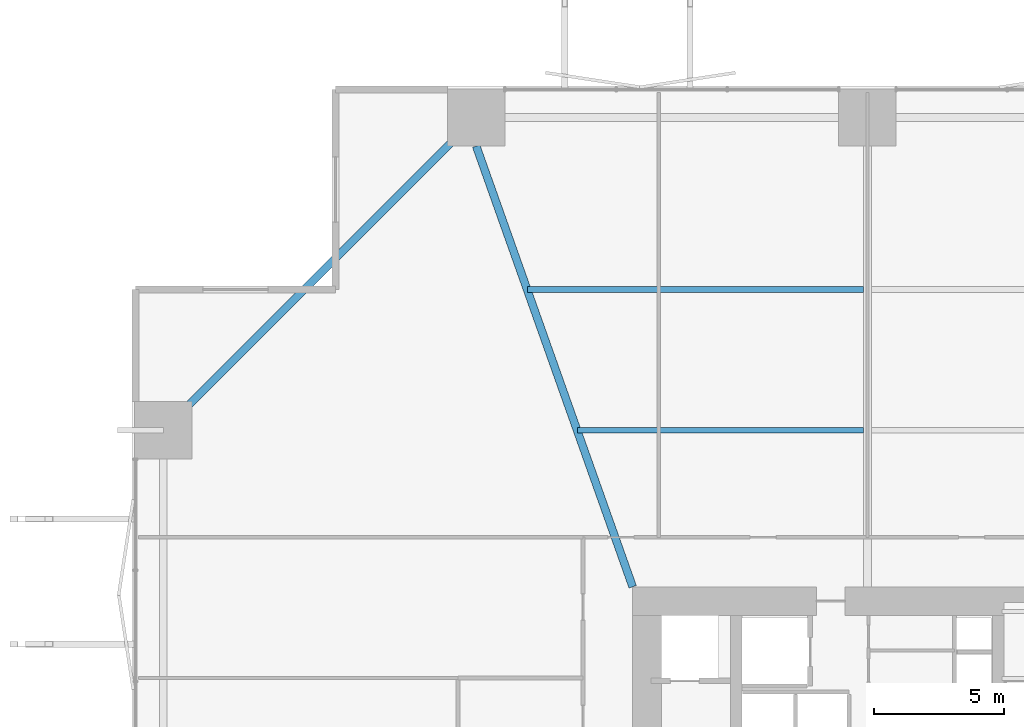
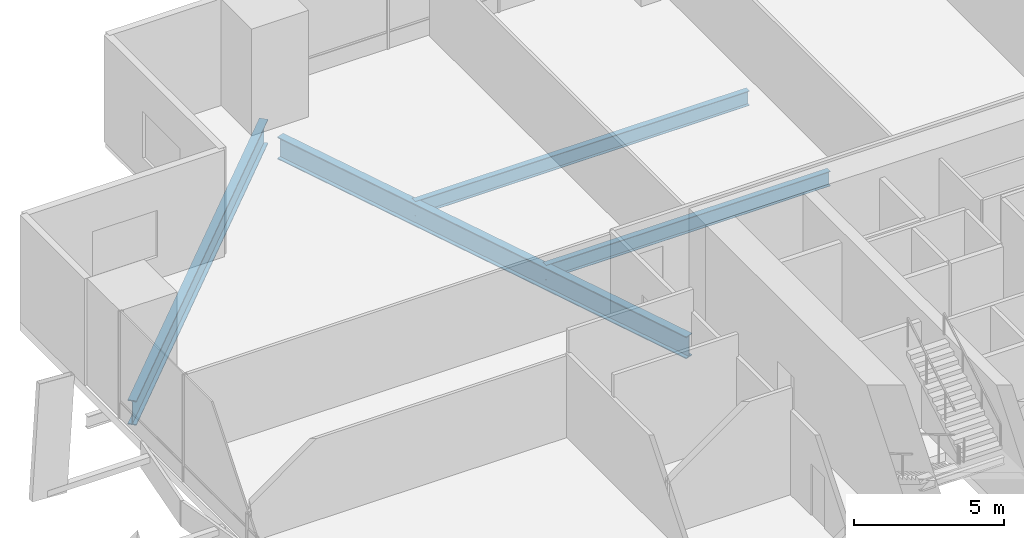
# One storey, part 12 of 24: 4 beams.
"""IFC4 building model written with IfcOpenShell, lengths in metres."""

from ifc_helpers import new_model, si_unit, direction, frame, origin, origin_2d, place, context, subcontext, project, spatial, i_section, extrude, material, material_profile, profile_set, type_object, element, save


model = new_model("IFC4")

# Units and contexts
model_context = context("Model", 3, precision=1e-05, world=origin(), true_north=direction((0.0, 1.0)))
body_context = subcontext(model_context, "Body", "Model", "MODEL_VIEW")
ifc_project = project(units=[si_unit("LENGTHUNIT", "METRE"), si_unit("AREAUNIT", "SQUARE_METRE"), si_unit("VOLUMEUNIT", "CUBIC_METRE"), si_unit("PLANEANGLEUNIT", "RADIAN"), si_unit("MASSUNIT", "GRAM", prefix="KILO")], contexts=[model_context])

# Site, building, storey
site_placement = place(None, origin())
site = spatial("IfcSite", under=ifc_project, at=site_placement, CompositionType="ELEMENT")
building_placement = place(site_placement, origin())
building = spatial("IfcBuilding", under=site, at=building_placement, Name="Belovzor Exchange Tower", CompositionType="ELEMENT")
storey_placement = place(building_placement, frame((0.0, 0.0, 19.199951171875)))
storey = spatial("IfcBuildingStorey", under=building, at=storey_placement, Name="L04", CompositionType="ELEMENT", Elevation=19.199951171875)

# Beams
ifc_material_1 = material(Name="Steel S460", Category="steel")
ifc_material_profile_1 = material_profile(ifc_material_1, i_section(OverallWidth=0.300048828125, OverallDepth=1.0, WebThickness=0.02099609375, FlangeThickness=0.0400390625, at=origin_2d()))
ifc_profile_set_1 = profile_set([ifc_material_profile_1], Name="Steel S460")
beam_type_1 = type_object("IfcBeamType", Name="Podium Exchange Hall Ring Girder HEM 1000", PredefinedType="BEAM", material=ifc_profile_set_1)
beam_1_placement = place(storey_placement, frame((13.800048828125, 55.800048828125, -0.849853515625), z_axis=(-0.707106781187, -0.707106781187, 0.0), x_axis=(0.707106781187, -0.707106781187, 0.0)))
element("IfcBeam", 1, at=beam_1_placement, inside=storey, type_object=beam_type_1, Name="PG-1 Podium Exchange Hall Ring Girder HEM 1000", PredefinedType="BEAM", context=body_context, shape_type="SweptSolid", body=[
    extrude(i_section(OverallWidth=0.300048828125, OverallDepth=1.0, WebThickness=0.02099609375, FlangeThickness=0.0400390625, at=origin_2d()), origin(), (0.0, 0.0, 1.0), 16.970458984375),
])
ifc_material_2 = material(Name="Steel S460", Category="steel")
ifc_material_profile_2 = material_profile(ifc_material_2, i_section(OverallWidth=0.300048828125, OverallDepth=0.89990234375, WebThickness=0.0185546875, FlangeThickness=0.034912109375, at=origin_2d()))
ifc_profile_set_2 = profile_set([ifc_material_profile_2], Name="Steel S460")
beam_type_2 = type_object("IfcBeamType", Name="Podium Radial Clear-Span Girder HEB 900", PredefinedType="BEAM", material=ifc_profile_set_2)
beam_2_placement = place(storey_placement, frame((19.800048828125, 37.800048828125, -0.800048828125), z_axis=(-0.334571317861, 0.942370433144, 0.0), x_axis=(-0.942370433144, -0.334571317861, 0.0)))
element("IfcBeam", 2, at=beam_2_placement, inside=storey, type_object=beam_type_2, Name="PG-2 Podium Radial Clear-Span Girder HEB 900", PredefinedType="BEAM", context=body_context, shape_type="SweptSolid", body=[
    extrude(i_section(OverallWidth=0.300048828125, OverallDepth=0.89990234375, WebThickness=0.0185546875, FlangeThickness=0.034912109375, at=origin_2d()), origin(), (0.0, 0.0, 1.0), 17.933349609375),
])
ifc_material_3 = material(Name="Steel S355", Category="steel")
ifc_material_profile_3 = material_profile(ifc_material_3, i_section(OverallWidth=0.219970703125, OverallDepth=0.60009765625, WebThickness=0.011962890625, FlangeThickness=0.01904296875, at=origin_2d()))
ifc_profile_set_3 = profile_set([ifc_material_profile_3], Name="Steel S355")
beam_type_3 = type_object("IfcBeamType", Name="Podium Secondary Composite Floor Beam IPE 600", PredefinedType="BEAM", material=ifc_profile_set_3)
beam_3_placement = place(storey_placement, frame((17.68994140625, 43.800048828125, -0.64990234375), z_axis=(1.0, 0.0, 0.0), x_axis=(0.0, 1.0, 0.0)))
element("IfcBeam", 3, at=beam_3_placement, inside=storey, type_object=beam_type_3, Name="FB-600 Podium Secondary Composite Floor Beam IPE 600", PredefinedType="BEAM", context=body_context, shape_type="SweptSolid", body=[
    extrude(i_section(OverallWidth=0.219970703125, OverallDepth=0.60009765625, WebThickness=0.011962890625, FlangeThickness=0.01904296875, at=origin_2d()), origin(), (0.0, 0.0, 1.0), 10.9599609375),
])
beam_4_placement = place(storey_placement, frame((15.77294921875, 49.199951171875, -0.64990234375), z_axis=(1.0, 0.0, 0.0), x_axis=(0.0, 1.0, 0.0)))
element("IfcBeam", 4, at=beam_4_placement, inside=storey, type_object=beam_type_3, Name="FB-600 Podium Secondary Composite Floor Beam IPE 600", PredefinedType="BEAM", context=body_context, shape_type="SweptSolid", body=[
    extrude(i_section(OverallWidth=0.219970703125, OverallDepth=0.60009765625, WebThickness=0.011962890625, FlangeThickness=0.01904296875, at=origin_2d()), origin(), (0.0, 0.0, 1.0), 12.876953125),
])

save(model, "model.ifc")
